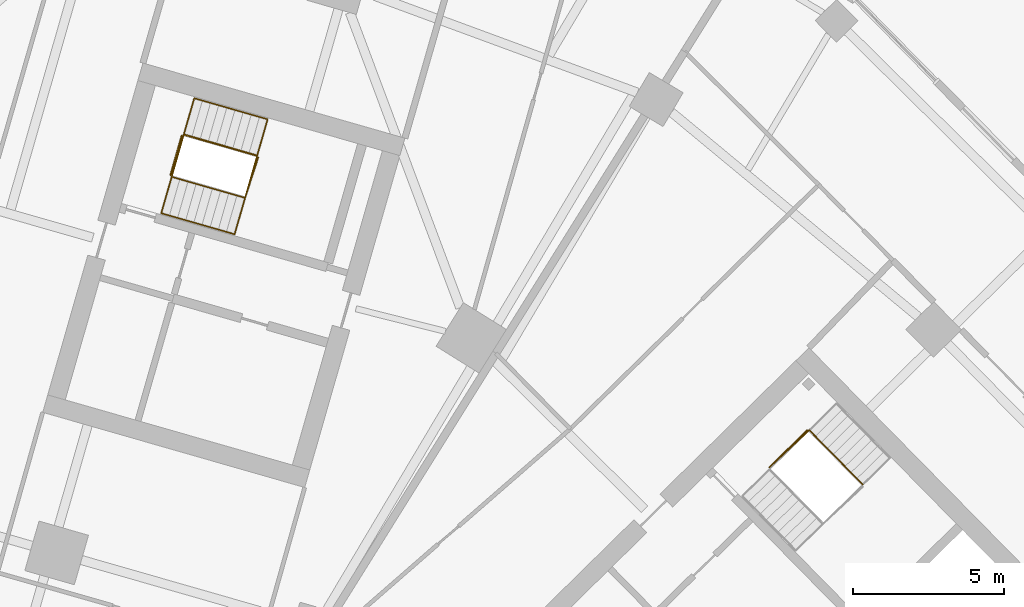
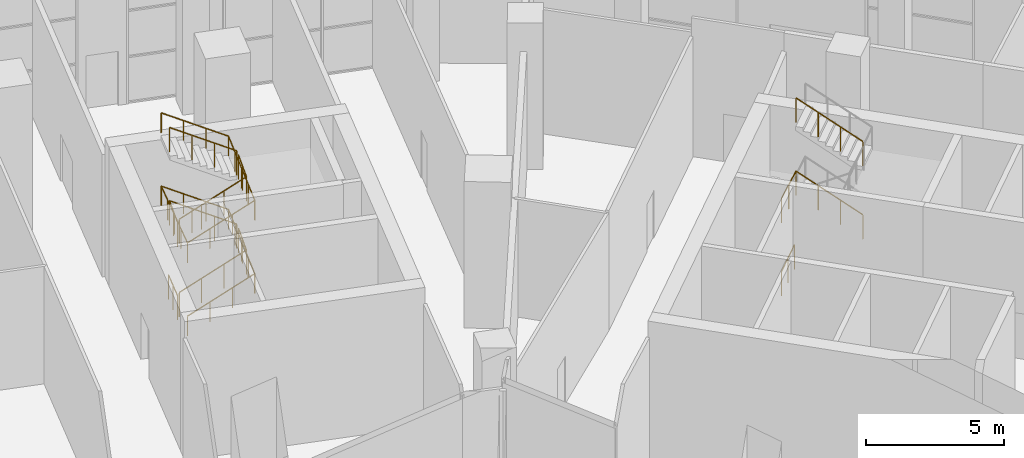
# One storey, part 22 of 22: 9 railings.
"""IFC4 building model written with IfcOpenShell, lengths in metres."""

from ifc_helpers import new_model, si_unit, direction, frame, origin, origin_2d, place, context, subcontext, project, spatial, circle, extrude, material, type_object, element, save


model = new_model("IFC4")

# Units and contexts
model_context = context("Model", 3, precision=1e-05, world=origin(), true_north=direction((0.0, 1.0)))
body_context = subcontext(model_context, "Body", "Model", "MODEL_VIEW")
ifc_project = project(units=[si_unit("LENGTHUNIT", "METRE"), si_unit("AREAUNIT", "SQUARE_METRE"), si_unit("VOLUMEUNIT", "CUBIC_METRE"), si_unit("PLANEANGLEUNIT", "RADIAN"), si_unit("MASSUNIT", "GRAM", prefix="KILO")], contexts=[model_context])

# Site, building, storey
site_placement = place(None, origin())
site = spatial("IfcSite", under=ifc_project, at=site_placement, CompositionType="ELEMENT")
building_placement = place(site_placement, origin())
building = spatial("IfcBuilding", under=site, at=building_placement, Name="Binnacle Exchange Tower", CompositionType="ELEMENT")
storey_placement = place(building_placement, origin())
storey = spatial("IfcBuildingStorey", under=building, at=storey_placement, Name="L00", CompositionType="ELEMENT", Elevation=0.0)

# Railings
ifc_material_1 = material(Name="Steel guard rail", Category="steel")
railing_type_1 = type_object("IfcRailingType", Name="STAIR GUARD 1100", PredefinedType="GUARDRAIL", material=ifc_material_1)
railing_1_placement = place(storey_placement, frame((43.908447265625, 46.546142578125, 1.78759765625)))
element("IfcRailing", 1, at=railing_1_placement, inside=storey, type_object=railing_type_1, Name="L00 STB1 stair guard 2", PredefinedType="GUARDRAIL", context=body_context, shape_type="SweptSolid", body=[
    extrude(circle(Radius=0.02392578125, at=origin_2d()), frame((0.0, 0.0, 1.076171875), z_axis=(-0.606242506394, 0.616884220052, 0.501920195342), x_axis=(-0.713231911335, -0.700928128023, 0.0)), (0.0, 0.0, 1.0), 2.91357421875),
    extrude(circle(Radius=0.02392578125, at=origin_2d()), frame((-1.766357421875, 1.79736328125, 2.53857421875), z_axis=(-0.732397402777, -0.680877407765, 0.0), x_axis=(0.680877407765, -0.732397402777, 0.0)), (0.0, 0.0, 1.0), 1.80078125),
    extrude(circle(Radius=0.02099609375, at=origin_2d()), origin(), (0.0, 0.0, 1.0), 1.052001953125),
    extrude(circle(Radius=0.02099609375, at=origin_2d()), frame((-0.5888671875, 0.59912109375, 0.487548828125)), (0.0, 0.0, 1.0), 1.052001953125),
    extrude(circle(Radius=0.02099609375, at=origin_2d()), frame((-1.177490234375, 1.1982421875, 0.974853515625)), (0.0, 0.0, 1.0), 1.052001953125),
    extrude(circle(Radius=0.02099609375, at=origin_2d()), frame((-1.766357421875, 1.79736328125, 1.46240234375)), (0.0, 0.0, 1.0), 1.052001953125),
    extrude(circle(Radius=0.02099609375, at=origin_2d()), frame((-2.42578125, 1.184326171875, 1.46240234375)), (0.0, 0.0, 1.0), 1.052001953125),
    extrude(circle(Radius=0.02099609375, at=origin_2d()), frame((-3.085205078125, 0.5712890625, 1.46240234375)), (0.0, 0.0, 1.0), 1.052001953125),
])
railing_2_placement = place(storey_placement, frame((43.908447265625, 46.546142578125, 5.03759765625)))
element("IfcRailing", 2, at=railing_2_placement, inside=storey, type_object=railing_type_1, Name="L00 STB1 stair guard 4", PredefinedType="GUARDRAIL", context=body_context, shape_type="SweptSolid", body=[
    extrude(circle(Radius=0.02392578125, at=origin_2d()), frame((0.0, 0.0, 1.076171875), z_axis=(-0.606242506394, 0.616884220052, 0.501920195342), x_axis=(-0.713231911335, -0.700928128023, 0.0)), (0.0, 0.0, 1.0), 2.91357421875),
    extrude(circle(Radius=0.02099609375, at=origin_2d()), origin(), (0.0, 0.0, 1.0), 1.052001953125),
    extrude(circle(Radius=0.02099609375, at=origin_2d()), frame((-0.5888671875, 0.59912109375, 0.487548828125)), (0.0, 0.0, 1.0), 1.052001953125),
    extrude(circle(Radius=0.02099609375, at=origin_2d()), frame((-1.177490234375, 1.1982421875, 0.974853515625)), (0.0, 0.0, 1.0), 1.052001953125),
    extrude(circle(Radius=0.02099609375, at=origin_2d()), frame((-1.766357421875, 1.79736328125, 1.46240234375)), (0.0, 0.0, 1.0), 1.052001953125),
])
railing_3_placement = place(storey_placement, frame((40.8232421875, 47.117431640625, 0.0)))
element("IfcRailing", 3, at=railing_3_placement, inside=storey, type_object=railing_type_1, Name="L00 STB1 stair guard 5", PredefinedType="GUARDRAIL", context=body_context, shape_type="SweptSolid", body=[
    extrude(circle(Radius=0.02392578125, at=origin_2d()), frame((0.0, 0.0, 1.076171875), z_axis=(0.713218950569, 0.700941316052, 0.0), x_axis=(-0.700941316052, 0.713218950569, 0.0)), (0.0, 0.0, 1.0), 1.75),
    extrude(circle(Radius=0.02099609375, at=origin_2d()), origin(), (0.0, 0.0, 1.0), 1.052001953125),
    extrude(circle(Radius=0.02099609375, at=origin_2d()), frame((0.6240234375, 0.61328125, 0.0)), (0.0, 0.0, 1.0), 1.052001953125),
    extrude(circle(Radius=0.02099609375, at=origin_2d()), frame((1.248046875, 1.2265625, 0.0)), (0.0, 0.0, 1.0), 1.052001953125),
])
railing_4_placement = place(storey_placement, frame((21.086669921875, 56.71044921875, 0.16259765625)))
element("IfcRailing", 4, at=railing_4_placement, inside=storey, type_object=railing_type_1, Name="L00 STD1 stair guard 1", PredefinedType="GUARDRAIL", context=body_context, shape_type="SweptSolid", body=[
    extrude(circle(Radius=0.02392578125, at=origin_2d()), frame((0.0, 0.0, 1.076171875), z_axis=(0.831389885092, -0.238473655813, 0.501917497652), x_axis=(0.275719021418, 0.96123827495, 0.0)), (0.0, 0.0, 1.0), 2.91357421875),
    extrude(circle(Radius=0.02392578125, at=origin_2d()), frame((2.42236328125, -0.69482421875, 2.53857421875), z_axis=(0.309684985722, 0.950839213337, 0.0), x_axis=(-0.950839213337, 0.309684985722, 0.0)), (0.0, 0.0, 1.0), 1.40087890625),
    extrude(circle(Radius=0.02099609375, at=origin_2d()), origin(), (0.0, 0.0, 1.0), 1.052001953125),
    extrude(circle(Radius=0.02099609375, at=origin_2d()), frame((0.807373046875, -0.231689453125, 0.487548828125)), (0.0, 0.0, 1.0), 1.052001953125),
    extrude(circle(Radius=0.02099609375, at=origin_2d()), frame((1.614990234375, -0.463134765625, 0.974853515625)), (0.0, 0.0, 1.0), 1.052001953125),
    extrude(circle(Radius=0.02099609375, at=origin_2d()), frame((2.42236328125, -0.69482421875, 1.46240234375)), (0.0, 0.0, 1.0), 1.052001953125),
    extrude(circle(Radius=0.02099609375, at=origin_2d()), frame((2.63916015625, -0.02880859375, 1.46240234375)), (0.0, 0.0, 1.0), 1.052001953125),
    extrude(circle(Radius=0.02099609375, at=origin_2d()), frame((2.856201171875, 0.63720703125, 1.46240234375)), (0.0, 0.0, 1.0), 1.052001953125),
])
railing_5_placement = place(storey_placement, frame((23.90869140625, 57.40966796875, 1.78759765625)))
element("IfcRailing", 5, at=railing_5_placement, inside=storey, type_object=railing_type_1, Name="L00 STD1 stair guard 2", PredefinedType="GUARDRAIL", context=body_context, shape_type="SweptSolid", body=[
    extrude(circle(Radius=0.02392578125, at=origin_2d()), frame((0.0, 0.0, 1.076171875), z_axis=(-0.831406495771, 0.238394626131, 0.501927525667), x_axis=(-0.275629503217, -0.9612639476, 0.0)), (0.0, 0.0, 1.0), 2.91357421875),
    extrude(circle(Radius=0.02392578125, at=origin_2d()), frame((-2.42236328125, 0.694580078125, 2.53857421875), z_axis=(-0.309842533299, -0.950787886208, 0.0), x_axis=(0.950787886208, -0.309842533299, 0.0)), (0.0, 0.0, 1.0), 1.40087890625),
    extrude(circle(Radius=0.02099609375, at=origin_2d()), origin(), (0.0, 0.0, 1.0), 1.052001953125),
    extrude(circle(Radius=0.02099609375, at=origin_2d()), frame((-0.807373046875, 0.2314453125, 0.487548828125)), (0.0, 0.0, 1.0), 1.052001953125),
    extrude(circle(Radius=0.02099609375, at=origin_2d()), frame((-1.614990234375, 0.463134765625, 0.974853515625)), (0.0, 0.0, 1.0), 1.052001953125),
    extrude(circle(Radius=0.02099609375, at=origin_2d()), frame((-2.42236328125, 0.694580078125, 1.46240234375)), (0.0, 0.0, 1.0), 1.052001953125),
    extrude(circle(Radius=0.02099609375, at=origin_2d()), frame((-2.639404296875, 0.028564453125, 1.46240234375)), (0.0, 0.0, 1.0), 1.052001953125),
    extrude(circle(Radius=0.02099609375, at=origin_2d()), frame((-2.8564453125, -0.637451171875, 1.46240234375)), (0.0, 0.0, 1.0), 1.052001953125),
])
railing_6_placement = place(storey_placement, frame((21.086669921875, 56.71044921875, 3.41259765625)))
element("IfcRailing", 6, at=railing_6_placement, inside=storey, type_object=railing_type_1, Name="L00 STD1 stair guard 3", PredefinedType="GUARDRAIL", context=body_context, shape_type="SweptSolid", body=[
    extrude(circle(Radius=0.02392578125, at=origin_2d()), frame((0.0, 0.0, 1.076171875), z_axis=(0.831389885092, -0.238473655813, 0.501917497652), x_axis=(0.275719021418, 0.96123827495, 0.0)), (0.0, 0.0, 1.0), 2.91357421875),
    extrude(circle(Radius=0.02392578125, at=origin_2d()), frame((2.42236328125, -0.69482421875, 2.53857421875), z_axis=(0.309684985722, 0.950839213337, 0.0), x_axis=(-0.950839213337, 0.309684985722, 0.0)), (0.0, 0.0, 1.0), 1.40087890625),
    extrude(circle(Radius=0.02099609375, at=origin_2d()), origin(), (0.0, 0.0, 1.0), 1.052001953125),
    extrude(circle(Radius=0.02099609375, at=origin_2d()), frame((0.807373046875, -0.231689453125, 0.487548828125)), (0.0, 0.0, 1.0), 1.052001953125),
    extrude(circle(Radius=0.02099609375, at=origin_2d()), frame((1.614990234375, -0.463134765625, 0.974853515625)), (0.0, 0.0, 1.0), 1.052001953125),
    extrude(circle(Radius=0.02099609375, at=origin_2d()), frame((2.42236328125, -0.69482421875, 1.46240234375)), (0.0, 0.0, 1.0), 1.052001953125),
    extrude(circle(Radius=0.02099609375, at=origin_2d()), frame((2.63916015625, -0.02880859375, 1.46240234375)), (0.0, 0.0, 1.0), 1.052001953125),
    extrude(circle(Radius=0.02099609375, at=origin_2d()), frame((2.856201171875, 0.63720703125, 1.46240234375)), (0.0, 0.0, 1.0), 1.052001953125),
])
railing_7_placement = place(storey_placement, frame((23.90869140625, 57.40966796875, 5.03759765625)))
element("IfcRailing", 7, at=railing_7_placement, inside=storey, type_object=railing_type_1, Name="L00 STD1 stair guard 4", PredefinedType="GUARDRAIL", context=body_context, shape_type="SweptSolid", body=[
    extrude(circle(Radius=0.02392578125, at=origin_2d()), frame((0.0, 0.0, 1.076171875), z_axis=(-0.831406495771, 0.238394626131, 0.501927525667), x_axis=(-0.275629503217, -0.9612639476, 0.0)), (0.0, 0.0, 1.0), 2.91357421875),
    extrude(circle(Radius=0.02099609375, at=origin_2d()), origin(), (0.0, 0.0, 1.0), 1.052001953125),
    extrude(circle(Radius=0.02099609375, at=origin_2d()), frame((-0.807373046875, 0.2314453125, 0.487548828125)), (0.0, 0.0, 1.0), 1.052001953125),
    extrude(circle(Radius=0.02099609375, at=origin_2d()), frame((-1.614990234375, 0.463134765625, 0.974853515625)), (0.0, 0.0, 1.0), 1.052001953125),
    extrude(circle(Radius=0.02099609375, at=origin_2d()), frame((-2.42236328125, 0.694580078125, 1.46240234375)), (0.0, 0.0, 1.0), 1.052001953125),
])
railing_8_placement = place(storey_placement, frame((21.05224609375, 56.772216796875, 0.0)))
element("IfcRailing", 8, at=railing_8_placement, inside=storey, type_object=railing_type_1, Name="L00 STD1 stair guard 5", PredefinedType="GUARDRAIL", context=body_context, shape_type="SweptSolid", body=[
    extrude(circle(Radius=0.02392578125, at=origin_2d()), frame((0.0, 0.0, 1.076171875), z_axis=(0.275795817769, 0.961216243569, 0.0), x_axis=(-0.961216243569, 0.275795817769, 0.0)), (0.0, 0.0, 1.0), 1.349853515625),
    extrude(circle(Radius=0.02099609375, at=origin_2d()), origin(), (0.0, 0.0, 1.0), 1.052001953125),
    extrude(circle(Radius=0.02099609375, at=origin_2d()), frame((0.18603515625, 0.64892578125, 0.0)), (0.0, 0.0, 1.0), 1.052001953125),
    extrude(circle(Radius=0.02099609375, at=origin_2d()), frame((0.372314453125, 1.297607421875, 0.0)), (0.0, 0.0, 1.0), 1.052001953125),
])
ifc_material_2 = material(Name="Steel handrail", Category="steel")
railing_type_2 = type_object("IfcRailingType", Name="STAIR HANDRAIL 900", PredefinedType="HANDRAIL", material=ifc_material_2)
railing_9_placement = place(storey_placement, frame((20.7421875, 55.5087890625, 0.16259765625)))
element("IfcRailing", 9, at=railing_9_placement, inside=storey, type_object=railing_type_2, Name="L00 STD1 stair handrail 1", PredefinedType="HANDRAIL", context=body_context, shape_type="SweptSolid", body=[
    extrude(circle(Radius=0.02392578125, at=origin_2d()), frame((0.0, 0.0, 0.8759765625), z_axis=(0.831406495771, -0.238394626131, 0.501927525667), x_axis=(0.275629503217, 0.9612639476, 0.0)), (0.0, 0.0, 1.0), 2.91357421875),
    extrude(circle(Radius=0.02392578125, at=origin_2d()), frame((2.42236328125, -0.694580078125, 2.33837890625), z_axis=(0.275377613079, 0.960455850774, 0.041130632498), x_axis=(-0.961269298493, 0.275610841177, 0.0)), (0.0, 0.0, 1.0), 3.953125),
    extrude(circle(Radius=0.02392578125, at=origin_2d()), frame((3.510986328125, 3.102294921875, 2.5009765625), z_axis=(-0.831406495771, 0.238394626131, 0.501927525667), x_axis=(-0.275629503217, -0.9612639476, 0.0)), (0.0, 0.0, 1.0), 2.91357421875),
    extrude(circle(Radius=0.02392578125, at=origin_2d()), frame((1.088623046875, 3.796875, 3.96337890625), z_axis=(-0.275377613079, -0.960455850774, 0.041130632498), x_axis=(0.961269298493, -0.275610841177, 0.0)), (0.0, 0.0, 1.0), 3.953125),
    extrude(circle(Radius=0.02392578125, at=origin_2d()), frame((0.0, 0.0, 4.1259765625), z_axis=(0.831406495771, -0.238394626131, 0.501927525667), x_axis=(0.275629503217, 0.9612639476, 0.0)), (0.0, 0.0, 1.0), 2.91357421875),
    extrude(circle(Radius=0.02392578125, at=origin_2d()), frame((2.42236328125, -0.694580078125, 5.58837890625), z_axis=(0.275377613079, 0.960455850774, 0.041130632498), x_axis=(-0.961269298493, 0.275610841177, 0.0)), (0.0, 0.0, 1.0), 3.953125),
    extrude(circle(Radius=0.02392578125, at=origin_2d()), frame((3.510986328125, 3.102294921875, 5.7509765625), z_axis=(-0.831406495771, 0.238394626131, 0.501927525667), x_axis=(-0.275629503217, -0.9612639476, 0.0)), (0.0, 0.0, 1.0), 2.91357421875),
    extrude(circle(Radius=0.02099609375, at=origin_2d()), origin(), (0.0, 0.0, 1.0), 0.851806640625),
    extrude(circle(Radius=0.02099609375, at=origin_2d()), frame((0.807373046875, -0.2314453125, 0.487548828125)), (0.0, 0.0, 1.0), 0.851806640625),
    extrude(circle(Radius=0.02099609375, at=origin_2d()), frame((1.614990234375, -0.463134765625, 0.974853515625)), (0.0, 0.0, 1.0), 0.851806640625),
    extrude(circle(Radius=0.02099609375, at=origin_2d()), frame((2.42236328125, -0.694580078125, 1.46240234375)), (0.0, 0.0, 1.0), 0.851806640625),
    extrude(circle(Radius=0.02099609375, at=origin_2d()), frame((2.694580078125, 0.254638671875, 1.5029296875)), (0.0, 0.0, 1.0), 0.851806640625),
    extrude(circle(Radius=0.02099609375, at=origin_2d()), frame((2.966796875, 1.203857421875, 1.543701171875)), (0.0, 0.0, 1.0), 0.851806640625),
    extrude(circle(Radius=0.02099609375, at=origin_2d()), frame((3.23876953125, 2.153076171875, 1.58447265625)), (0.0, 0.0, 1.0), 0.851806640625),
    extrude(circle(Radius=0.02099609375, at=origin_2d()), frame((3.510986328125, 3.102294921875, 1.625)), (0.0, 0.0, 1.0), 0.851806640625),
    extrude(circle(Radius=0.02099609375, at=origin_2d()), frame((2.70361328125, 3.333740234375, 2.112548828125)), (0.0, 0.0, 1.0), 0.851806640625),
    extrude(circle(Radius=0.02099609375, at=origin_2d()), frame((1.89599609375, 3.5654296875, 2.599853515625)), (0.0, 0.0, 1.0), 0.851806640625),
    extrude(circle(Radius=0.02099609375, at=origin_2d()), frame((1.088623046875, 3.796875, 3.08740234375)), (0.0, 0.0, 1.0), 0.851806640625),
    extrude(circle(Radius=0.02099609375, at=origin_2d()), frame((0.81640625, 2.84765625, 3.1279296875)), (0.0, 0.0, 1.0), 0.851806640625),
    extrude(circle(Radius=0.02099609375, at=origin_2d()), frame((0.54443359375, 1.8984375, 3.168701171875)), (0.0, 0.0, 1.0), 0.851806640625),
    extrude(circle(Radius=0.02099609375, at=origin_2d()), frame((0.272216796875, 0.94921875, 3.20947265625)), (0.0, 0.0, 1.0), 0.851806640625),
    extrude(circle(Radius=0.02099609375, at=origin_2d()), frame((0.0, 0.0, 3.25)), (0.0, 0.0, 1.0), 0.851806640625),
    extrude(circle(Radius=0.02099609375, at=origin_2d()), frame((0.807373046875, -0.2314453125, 3.737548828125)), (0.0, 0.0, 1.0), 0.851806640625),
    extrude(circle(Radius=0.02099609375, at=origin_2d()), frame((1.614990234375, -0.463134765625, 4.224853515625)), (0.0, 0.0, 1.0), 0.851806640625),
    extrude(circle(Radius=0.02099609375, at=origin_2d()), frame((2.42236328125, -0.694580078125, 4.71240234375)), (0.0, 0.0, 1.0), 0.851806640625),
    extrude(circle(Radius=0.02099609375, at=origin_2d()), frame((2.694580078125, 0.254638671875, 4.7529296875)), (0.0, 0.0, 1.0), 0.851806640625),
    extrude(circle(Radius=0.02099609375, at=origin_2d()), frame((2.966796875, 1.203857421875, 4.793701171875)), (0.0, 0.0, 1.0), 0.851806640625),
    extrude(circle(Radius=0.02099609375, at=origin_2d()), frame((3.23876953125, 2.153076171875, 4.83447265625)), (0.0, 0.0, 1.0), 0.851806640625),
    extrude(circle(Radius=0.02099609375, at=origin_2d()), frame((3.510986328125, 3.102294921875, 4.875)), (0.0, 0.0, 1.0), 0.851806640625),
    extrude(circle(Radius=0.02099609375, at=origin_2d()), frame((2.70361328125, 3.333740234375, 5.362548828125)), (0.0, 0.0, 1.0), 0.851806640625),
    extrude(circle(Radius=0.02099609375, at=origin_2d()), frame((1.89599609375, 3.5654296875, 5.849853515625)), (0.0, 0.0, 1.0), 0.851806640625),
    extrude(circle(Radius=0.02099609375, at=origin_2d()), frame((1.088623046875, 3.796875, 6.33740234375)), (0.0, 0.0, 1.0), 0.851806640625),
])

save(model, "model.ifc")
